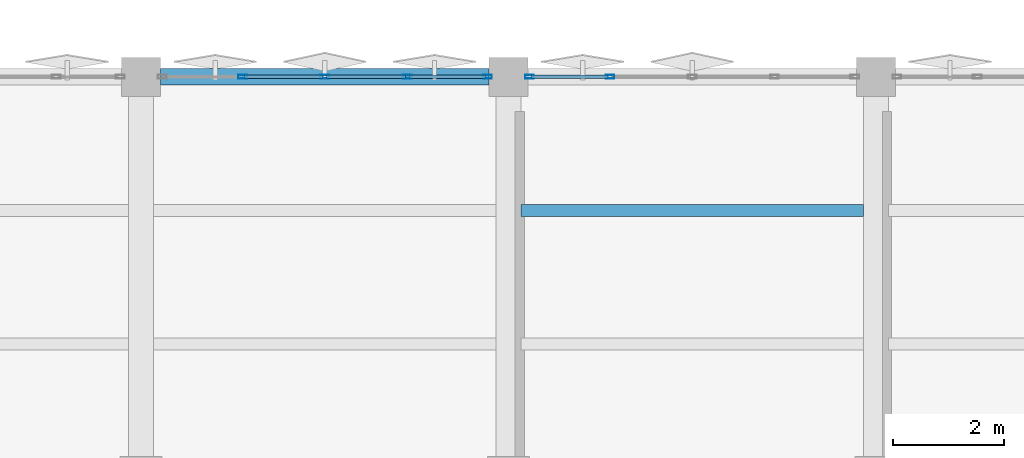
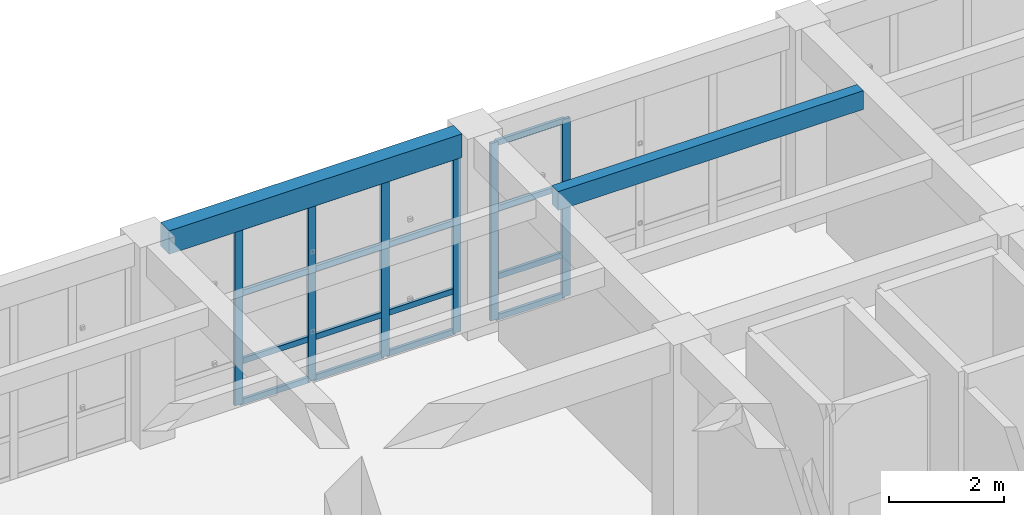
# One storey, part 47 of 80: 22 members, 2 beams, 2 elements without a shape of their own.
"""IFC4 building model written with IfcOpenShell, lengths in metres."""

from ifc_helpers import new_model, si_unit, direction, frame, origin, origin_2d, place, context, subcontext, project, spatial, rectangle, hollow_rectangle, extrude, material, layer, layer_set, material_profile, profile_set, type_object, element, aggregate, save


model = new_model("IFC4")

# Units and contexts
model_context = context("Model", 3, precision=1e-05, world=origin(), true_north=direction((0.0, 1.0)))
body_context = subcontext(model_context, "Body", "Model", "MODEL_VIEW")
ifc_project = project(units=[si_unit("LENGTHUNIT", "METRE"), si_unit("AREAUNIT", "SQUARE_METRE"), si_unit("VOLUMEUNIT", "CUBIC_METRE"), si_unit("PLANEANGLEUNIT", "RADIAN"), si_unit("MASSUNIT", "GRAM", prefix="KILO")], contexts=[model_context])

# Site, building, storey
site_placement = place(None, origin())
site = spatial("IfcSite", under=ifc_project, at=site_placement, CompositionType="ELEMENT")
building_placement = place(site_placement, origin())
building = spatial("IfcBuilding", under=site, at=building_placement, Name="Kharisveld Research Institute", CompositionType="ELEMENT")
storey_placement = place(building_placement, frame((0.0, 0.0, 5.10009765625)))
storey = spatial("IfcBuildingStorey", under=building, at=storey_placement, Name="L01", CompositionType="ELEMENT", Elevation=5.10009765625)

# Curtain wall, members
ifc_material_1 = material(Name="Thermally Broken Aluminium Curtain Wall", Category="aluminium")
ifc_layer_1 = layer(ifc_material_1, 0.159912109375)
ifc_layer_set_1 = layer_set([ifc_layer_1], Name="CW_SYS_02")
curtain_wall_type_1 = type_object("IfcCurtainWallType", Name="CW_SYS_02", PredefinedType="NOTDEFINED", material=ifc_layer_set_1)
curtain_wall_1_placement = place(storey_placement, origin())
curtain_wall_1 = element("IfcCurtainWall", 1, at=curtain_wall_1_placement, inside=storey, type_object=curtain_wall_type_1, Name="CW:V2:L01:N2", PredefinedType="NOTDEFINED")
ifc_material_2 = material(Name="Anodised Aluminium AW-6063-T6", Category="aluminium")
ifc_material_profile_1 = material_profile(ifc_material_2, hollow_rectangle(XDim=0.06494140625, YDim=0.159912109375, WallThickness=0.00390625, at=origin_2d()))
ifc_profile_set_1 = profile_set([ifc_material_profile_1], Name="Anodised Aluminium AW-6063-T6")
member_type_1 = type_object("IfcMemberType", Name="CW_MUL_160", PredefinedType="MULLION", material=ifc_profile_set_1)
member_1_placement = place(storey_placement, frame((129.62255859375, 60.800048828125, 0.0), z_axis=(0.0, 0.0, 1.0), x_axis=(0.0, 1.0, 0.0)))
member_1 = element("IfcMember", 2, at=member_1_placement, type_object=member_type_1, Name="CW-02 mullion 2", PredefinedType="MULLION", context=body_context, shape_type="SweptSolid", body=[
    extrude(hollow_rectangle(XDim=0.06494140625, YDim=0.159912109375, WallThickness=0.00390625, at=origin_2d()), origin(), (0.0, 0.0, 1.0), 3.77978515625),
])
member_2_placement = place(storey_placement, frame((131.10009765625, 60.800048828125, 0.0), z_axis=(0.0, 0.0, 1.0), x_axis=(0.0, 1.0, 0.0)))
member_2 = element("IfcMember", 3, at=member_2_placement, type_object=member_type_1, Name="CW-02 mullion 3", PredefinedType="MULLION", context=body_context, shape_type="SweptSolid", body=[
    extrude(hollow_rectangle(XDim=0.06494140625, YDim=0.159912109375, WallThickness=0.00390625, at=origin_2d()), origin(), (0.0, 0.0, 1.0), 3.77978515625),
])
member_3_placement = place(storey_placement, frame((132.577392578125, 60.800048828125, 0.0), z_axis=(0.0, 0.0, 1.0), x_axis=(0.0, 1.0, 0.0)))
member_3 = element("IfcMember", 4, at=member_3_placement, type_object=member_type_1, Name="CW-02 mullion 4", PredefinedType="MULLION", context=body_context, shape_type="SweptSolid", body=[
    extrude(hollow_rectangle(XDim=0.06494140625, YDim=0.159912109375, WallThickness=0.00390625, at=origin_2d()), origin(), (0.0, 0.0, 1.0), 3.77978515625),
])
member_4_placement = place(storey_placement, frame((134.0224609375, 60.800048828125, 0.0), z_axis=(0.0, 0.0, 1.0), x_axis=(0.0, 1.0, 0.0)))
member_4 = element("IfcMember", 5, at=member_4_placement, type_object=member_type_1, Name="CW-02 mullion 5", PredefinedType="MULLION", context=body_context, shape_type="SweptSolid", body=[
    extrude(hollow_rectangle(XDim=0.06494140625, YDim=0.159912109375, WallThickness=0.00390625, at=origin_2d()), origin(), (0.0, 0.0, 1.0), 3.77978515625),
])

ifc_material_3 = material(Name="Thermally Broken Aluminium Curtain Wall", Category="aluminium")
ifc_layer_2 = layer(ifc_material_3, 0.159912109375)
ifc_layer_set_2 = layer_set([ifc_layer_2], Name="CW_SYS_03")
curtain_wall_type_2 = type_object("IfcCurtainWallType", Name="CW_SYS_03", PredefinedType="NOTDEFINED", material=ifc_layer_set_2)
curtain_wall_2_placement = place(storey_placement, origin())
curtain_wall_2 = element("IfcCurtainWall", 6, at=curtain_wall_2_placement, inside=storey, type_object=curtain_wall_type_2, Name="CW:V2:L01:N3", PredefinedType="NOTDEFINED")
member_5_placement = place(storey_placement, frame((134.777587890625, 60.800048828125, 0.0), z_axis=(0.0, 0.0, 1.0), x_axis=(0.0, 1.0, 0.0)))
member_5 = element("IfcMember", 7, at=member_5_placement, type_object=member_type_1, Name="CW-03 mullion 1", PredefinedType="MULLION", context=body_context, shape_type="SweptSolid", body=[
    extrude(hollow_rectangle(XDim=0.06494140625, YDim=0.159912109375, WallThickness=0.00390625, at=origin_2d()), origin(), (0.0, 0.0, 1.0), 3.77978515625),
])
member_6_placement = place(storey_placement, frame((136.222412109375, 60.800048828125, 0.0), z_axis=(0.0, 0.0, 1.0), x_axis=(0.0, 1.0, 0.0)))
member_6 = element("IfcMember", 8, at=member_6_placement, type_object=member_type_1, Name="CW-03 mullion 2", PredefinedType="MULLION", context=body_context, shape_type="SweptSolid", body=[
    extrude(hollow_rectangle(XDim=0.06494140625, YDim=0.159912109375, WallThickness=0.00390625, at=origin_2d()), origin(), (0.0, 0.0, 1.0), 3.77978515625),
])

# Member
ifc_material_4 = material(Name="Anodised Aluminium AW-6063-T6", Category="aluminium")
ifc_material_profile_2 = material_profile(ifc_material_4, hollow_rectangle(XDim=0.06005859375, YDim=0.1201171875, WallThickness=0.00390625, at=origin_2d()))
ifc_profile_set_2 = profile_set([ifc_material_profile_2], Name="Anodised Aluminium AW-6063-T6")
member_type_2 = type_object("IfcMemberType", Name="CW_TRN_120", PredefinedType="USERDEFINED", material=ifc_profile_set_2)
member_7_placement = place(storey_placement, frame((129.655029296875, 60.800048828125, 0.02978515625), z_axis=(1.0, 0.0, 0.0), x_axis=(0.0, 1.0, 0.0)))
member_7 = element("IfcMember", 9, at=member_7_placement, type_object=member_type_2, Name="CW-02 transom 2.1", ObjectType="TRANSOM", PredefinedType="USERDEFINED", context=body_context, shape_type="SweptSolid", body=[
    extrude(hollow_rectangle(XDim=0.06005859375, YDim=0.1201171875, WallThickness=0.00390625, at=origin_2d()), origin(), (0.0, 0.0, 1.0), 1.412353515625),
])

member_8_placement = place(storey_placement, frame((129.655029296875, 60.800048828125, 0.89990234375), z_axis=(1.0, 0.0, 0.0), x_axis=(0.0, 1.0, 0.0)))
member_8 = element("IfcMember", 10, at=member_8_placement, type_object=member_type_2, Name="CW-02 transom 2.2", ObjectType="TRANSOM", PredefinedType="USERDEFINED", context=body_context, shape_type="SweptSolid", body=[
    extrude(hollow_rectangle(XDim=0.06005859375, YDim=0.1201171875, WallThickness=0.00390625, at=origin_2d()), origin(), (0.0, 0.0, 1.0), 1.412353515625),
])

member_9_placement = place(storey_placement, frame((129.655029296875, 60.800048828125, 2.349853515625), z_axis=(1.0, 0.0, 0.0), x_axis=(0.0, 1.0, 0.0)))
member_9 = element("IfcMember", 11, at=member_9_placement, type_object=member_type_2, Name="CW-02 transom 2.3", ObjectType="TRANSOM", PredefinedType="USERDEFINED", context=body_context, shape_type="SweptSolid", body=[
    extrude(hollow_rectangle(XDim=0.06005859375, YDim=0.1201171875, WallThickness=0.00390625, at=origin_2d()), origin(), (0.0, 0.0, 1.0), 1.412353515625),
])

member_10_placement = place(storey_placement, frame((129.655029296875, 60.800048828125, 3.75), z_axis=(1.0, 0.0, 0.0), x_axis=(0.0, 1.0, 0.0)))
member_10 = element("IfcMember", 12, at=member_10_placement, type_object=member_type_2, Name="CW-02 transom 2.4", ObjectType="TRANSOM", PredefinedType="USERDEFINED", context=body_context, shape_type="SweptSolid", body=[
    extrude(hollow_rectangle(XDim=0.06005859375, YDim=0.1201171875, WallThickness=0.00390625, at=origin_2d()), origin(), (0.0, 0.0, 1.0), 1.412353515625),
])

member_11_placement = place(storey_placement, frame((131.132568359375, 60.800048828125, 0.02978515625), z_axis=(1.0, 0.0, 0.0), x_axis=(0.0, 1.0, 0.0)))
member_11 = element("IfcMember", 13, at=member_11_placement, type_object=member_type_2, Name="CW-02 transom 3.1", ObjectType="TRANSOM", PredefinedType="USERDEFINED", context=body_context, shape_type="SweptSolid", body=[
    extrude(hollow_rectangle(XDim=0.06005859375, YDim=0.1201171875, WallThickness=0.00390625, at=origin_2d()), origin(), (0.0, 0.0, 1.0), 1.412353515625),
])

member_12_placement = place(storey_placement, frame((131.132568359375, 60.800048828125, 0.89990234375), z_axis=(1.0, 0.0, 0.0), x_axis=(0.0, 1.0, 0.0)))
member_12 = element("IfcMember", 14, at=member_12_placement, type_object=member_type_2, Name="CW-02 transom 3.2", ObjectType="TRANSOM", PredefinedType="USERDEFINED", context=body_context, shape_type="SweptSolid", body=[
    extrude(hollow_rectangle(XDim=0.06005859375, YDim=0.1201171875, WallThickness=0.00390625, at=origin_2d()), origin(), (0.0, 0.0, 1.0), 1.412353515625),
])

member_13_placement = place(storey_placement, frame((131.132568359375, 60.800048828125, 2.349853515625), z_axis=(1.0, 0.0, 0.0), x_axis=(0.0, 1.0, 0.0)))
member_13 = element("IfcMember", 15, at=member_13_placement, type_object=member_type_2, Name="CW-02 transom 3.3", ObjectType="TRANSOM", PredefinedType="USERDEFINED", context=body_context, shape_type="SweptSolid", body=[
    extrude(hollow_rectangle(XDim=0.06005859375, YDim=0.1201171875, WallThickness=0.00390625, at=origin_2d()), origin(), (0.0, 0.0, 1.0), 1.412353515625),
])

member_14_placement = place(storey_placement, frame((131.132568359375, 60.800048828125, 3.75), z_axis=(1.0, 0.0, 0.0), x_axis=(0.0, 1.0, 0.0)))
member_14 = element("IfcMember", 16, at=member_14_placement, type_object=member_type_2, Name="CW-02 transom 3.4", ObjectType="TRANSOM", PredefinedType="USERDEFINED", context=body_context, shape_type="SweptSolid", body=[
    extrude(hollow_rectangle(XDim=0.06005859375, YDim=0.1201171875, WallThickness=0.00390625, at=origin_2d()), origin(), (0.0, 0.0, 1.0), 1.412353515625),
])

member_15_placement = place(storey_placement, frame((132.610107421875, 60.800048828125, 0.02978515625), z_axis=(1.0, 0.0, 0.0), x_axis=(0.0, 1.0, 0.0)))
member_15 = element("IfcMember", 17, at=member_15_placement, type_object=member_type_2, Name="CW-02 transom 4.1", ObjectType="TRANSOM", PredefinedType="USERDEFINED", context=body_context, shape_type="SweptSolid", body=[
    extrude(hollow_rectangle(XDim=0.06005859375, YDim=0.1201171875, WallThickness=0.00390625, at=origin_2d()), origin(), (0.0, 0.0, 1.0), 1.3798828125),
])

member_16_placement = place(storey_placement, frame((132.610107421875, 60.800048828125, 0.89990234375), z_axis=(1.0, 0.0, 0.0), x_axis=(0.0, 1.0, 0.0)))
member_16 = element("IfcMember", 18, at=member_16_placement, type_object=member_type_2, Name="CW-02 transom 4.2", ObjectType="TRANSOM", PredefinedType="USERDEFINED", context=body_context, shape_type="SweptSolid", body=[
    extrude(hollow_rectangle(XDim=0.06005859375, YDim=0.1201171875, WallThickness=0.00390625, at=origin_2d()), origin(), (0.0, 0.0, 1.0), 1.3798828125),
])

member_17_placement = place(storey_placement, frame((132.610107421875, 60.800048828125, 2.349853515625), z_axis=(1.0, 0.0, 0.0), x_axis=(0.0, 1.0, 0.0)))
member_17 = element("IfcMember", 19, at=member_17_placement, type_object=member_type_2, Name="CW-02 transom 4.3", ObjectType="TRANSOM", PredefinedType="USERDEFINED", context=body_context, shape_type="SweptSolid", body=[
    extrude(hollow_rectangle(XDim=0.06005859375, YDim=0.1201171875, WallThickness=0.00390625, at=origin_2d()), origin(), (0.0, 0.0, 1.0), 1.3798828125),
])

member_18_placement = place(storey_placement, frame((132.610107421875, 60.800048828125, 3.75), z_axis=(1.0, 0.0, 0.0), x_axis=(0.0, 1.0, 0.0)))
member_18 = element("IfcMember", 20, at=member_18_placement, type_object=member_type_2, Name="CW-02 transom 4.4", ObjectType="TRANSOM", PredefinedType="USERDEFINED", context=body_context, shape_type="SweptSolid", body=[
    extrude(hollow_rectangle(XDim=0.06005859375, YDim=0.1201171875, WallThickness=0.00390625, at=origin_2d()), origin(), (0.0, 0.0, 1.0), 1.3798828125),
])

aggregate(curtain_wall_1, [member_1, member_2, member_3, member_4, member_7, member_8, member_9, member_10, member_11, member_12, member_13, member_14, member_15, member_16, member_17, member_18])

member_19_placement = place(storey_placement, frame((134.81005859375, 60.800048828125, 0.02978515625), z_axis=(1.0, 0.0, 0.0), x_axis=(0.0, 1.0, 0.0)))
member_19 = element("IfcMember", 21, at=member_19_placement, type_object=member_type_2, Name="CW-03 transom 1.1", ObjectType="TRANSOM", PredefinedType="USERDEFINED", context=body_context, shape_type="SweptSolid", body=[
    extrude(hollow_rectangle(XDim=0.06005859375, YDim=0.1201171875, WallThickness=0.00390625, at=origin_2d()), origin(), (0.0, 0.0, 1.0), 1.3798828125),
])

member_20_placement = place(storey_placement, frame((134.81005859375, 60.800048828125, 0.89990234375), z_axis=(1.0, 0.0, 0.0), x_axis=(0.0, 1.0, 0.0)))
member_20 = element("IfcMember", 22, at=member_20_placement, type_object=member_type_2, Name="CW-03 transom 1.2", ObjectType="TRANSOM", PredefinedType="USERDEFINED", context=body_context, shape_type="SweptSolid", body=[
    extrude(hollow_rectangle(XDim=0.06005859375, YDim=0.1201171875, WallThickness=0.00390625, at=origin_2d()), origin(), (0.0, 0.0, 1.0), 1.3798828125),
])

member_21_placement = place(storey_placement, frame((134.81005859375, 60.800048828125, 2.349853515625), z_axis=(1.0, 0.0, 0.0), x_axis=(0.0, 1.0, 0.0)))
member_21 = element("IfcMember", 23, at=member_21_placement, type_object=member_type_2, Name="CW-03 transom 1.3", ObjectType="TRANSOM", PredefinedType="USERDEFINED", context=body_context, shape_type="SweptSolid", body=[
    extrude(hollow_rectangle(XDim=0.06005859375, YDim=0.1201171875, WallThickness=0.00390625, at=origin_2d()), origin(), (0.0, 0.0, 1.0), 1.3798828125),
])

member_22_placement = place(storey_placement, frame((134.81005859375, 60.800048828125, 3.75), z_axis=(1.0, 0.0, 0.0), x_axis=(0.0, 1.0, 0.0)))
member_22 = element("IfcMember", 24, at=member_22_placement, type_object=member_type_2, Name="CW-03 transom 1.4", ObjectType="TRANSOM", PredefinedType="USERDEFINED", context=body_context, shape_type="SweptSolid", body=[
    extrude(hollow_rectangle(XDim=0.06005859375, YDim=0.1201171875, WallThickness=0.00390625, at=origin_2d()), origin(), (0.0, 0.0, 1.0), 1.3798828125),
])

aggregate(curtain_wall_2, [member_5, member_6, member_19, member_20, member_21, member_22])

# Beams
ifc_material_5 = material(Name="Concrete C40/50", Category="concrete")
ifc_material_profile_3 = material_profile(ifc_material_5, rectangle(XDim=0.300048828125, YDim=0.5, at=origin_2d()))
ifc_profile_set_3 = profile_set([ifc_material_profile_3], Name="Concrete C40/50")
beam_type_1 = type_object("IfcBeamType", Name="SP_RC_300x500", PredefinedType="SPANDREL", material=ifc_profile_set_3)
beam_1_placement = place(storey_placement, frame((128.14990234375, 60.800048828125, 4.039794921875), z_axis=(1.0, 0.0, 0.0), x_axis=(0.0, 1.0, 0.0)))
element("IfcBeam", 25, at=beam_1_placement, inside=storey, type_object=beam_type_1, Name="BM:V2:L01:U2_3", PredefinedType="SPANDREL", context=body_context, shape_type="SweptSolid", body=[
    extrude(rectangle(XDim=0.300048828125, YDim=0.5, at=origin_2d()), origin(), (0.0, 0.0, 1.0), 5.900146484375),
])
ifc_material_6 = material(Name="Concrete C40/50", Category="concrete")
ifc_material_profile_4 = material_profile(ifc_material_6, rectangle(XDim=0.219970703125, YDim=0.39990234375, at=origin_2d()))
ifc_profile_set_4 = profile_set([ifc_material_profile_4], Name="Concrete C40/50")
beam_type_2 = type_object("IfcBeamType", Name="WB_RC_220x400", PredefinedType="JOIST", material=ifc_profile_set_4)
beam_2_placement = place(storey_placement, frame((134.625, 58.39990234375, 4.08984375), z_axis=(1.0, 0.0, 0.0), x_axis=(0.0, 1.0, 0.0)))
element("IfcBeam", 26, at=beam_2_placement, inside=storey, type_object=beam_type_2, Name="BM:V2:L01:J_3_2_R2", PredefinedType="JOIST", context=body_context, shape_type="SweptSolid", body=[
    extrude(rectangle(XDim=0.219970703125, YDim=0.39990234375, at=origin_2d()), origin(), (0.0, 0.0, 1.0), 6.14990234375),
])

save(model, "model.ifc")
